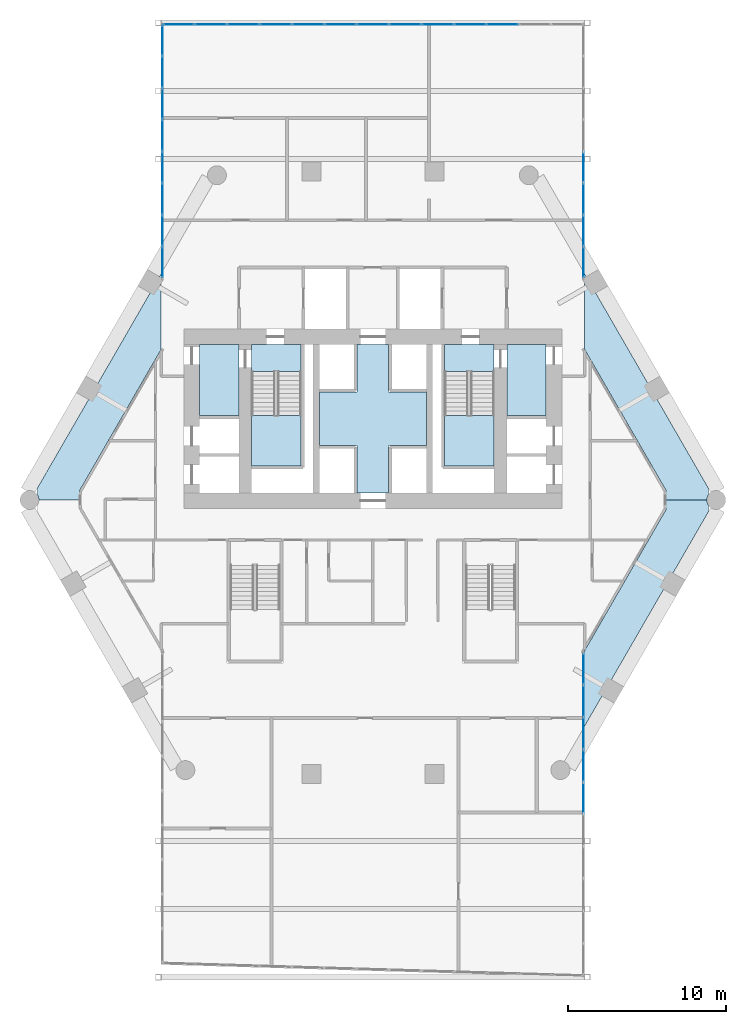
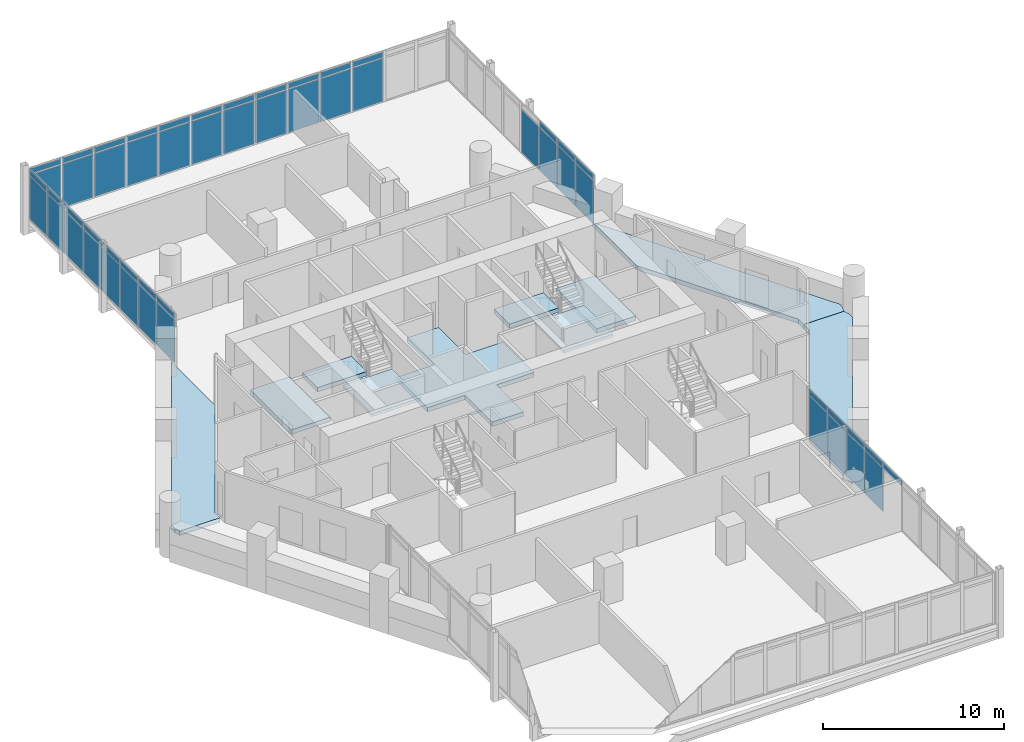
# One storey, part 21 of 28: 54 plates, 10 slabs, 6 elements without a shape of their own.
"""IFC4 building model written with IfcOpenShell, lengths in metres."""

from ifc_helpers import new_model, si_unit, direction, frame, origin, origin_2d, place, context, subcontext, project, spatial, polyline, rectangle, outline, extrude, material, layer, layer_set, type_object, element, aggregate, save


model = new_model("IFC4")

# Units and contexts
model_context = context("Model", 3, precision=1e-05, world=origin(), true_north=direction((0.0, 1.0)))
body_context = subcontext(model_context, "Body", "Model", "MODEL_VIEW")
ifc_project = project(units=[si_unit("LENGTHUNIT", "METRE"), si_unit("AREAUNIT", "SQUARE_METRE"), si_unit("VOLUMEUNIT", "CUBIC_METRE"), si_unit("PLANEANGLEUNIT", "RADIAN"), si_unit("MASSUNIT", "GRAM", prefix="KILO")], contexts=[model_context])

# Site, building, storey
site_placement = place(None, origin())
site = spatial("IfcSite", under=ifc_project, at=site_placement, CompositionType="ELEMENT")
building_placement = place(site_placement, origin())
building = spatial("IfcBuilding", under=site, at=building_placement, Name="Ostrander Bayou Hotel Tower", CompositionType="ELEMENT")
storey_placement = place(building_placement, frame((0.0, 0.0, 142.25)))
storey = spatial("IfcBuildingStorey", under=building, at=storey_placement, Name="L35", CompositionType="ELEMENT", Elevation=142.25)

# Curtain wall, plates
ifc_material_1 = material(Name="Aluminium and clear glass", Category="aluminium")
curtain_wall_type = type_object("IfcCurtainWallType", Name="CW-BAR glazed wall", PredefinedType="NOTDEFINED", material=ifc_material_1)
curtain_wall_1_placement = place(storey_placement, origin())
curtain_wall_1 = element("IfcCurtainWall", 1, at=curtain_wall_1_placement, inside=storey, type_object=curtain_wall_type, Name="CW-BAR L35:SB3S:W", PredefinedType="NOTDEFINED")
ifc_material_2 = material(Name="Clear laminated glass", Category="glass")
ifc_layer_1 = layer(ifc_material_2, 0.028076171875)
ifc_layer_set_1 = layer_set([ifc_layer_1], Name="CW-BR glazing panel 28 mm")
plate_type = type_object("IfcPlateType", Name="CW-BR glazing panel 28 mm", PredefinedType="CURTAIN_PANEL", material=ifc_layer_set_1)
plate_1_placement = place(storey_placement, frame((13.3671875, -11.88720703125, 0.06005859375), z_axis=(0.0, 0.0, 1.0), x_axis=(0.0, -1.0, 0.0)))
plate_1 = element("IfcPlate", 2, at=plate_1_placement, type_object=plate_type, Name="CW-BAR panel 1.1", PredefinedType="CURTAIN_PANEL", context=body_context, shape_type="SweptSolid", body=[
    extrude(rectangle(XDim=1.9599609375, YDim=0.028076171875, at=origin_2d()), origin(), (0.0, 0.0, 1.0), 2.909912109375),
])
plate_2_placement = place(storey_placement, frame((13.3671875, -11.88720703125, 3.02978515625), z_axis=(0.0, 0.0, 1.0), x_axis=(0.0, -1.0, 0.0)))
plate_2 = element("IfcPlate", 3, at=plate_2_placement, type_object=plate_type, Name="CW-BAR panel 1.2", PredefinedType="CURTAIN_PANEL", context=body_context, shape_type="SweptSolid", body=[
    extrude(rectangle(XDim=1.9599609375, YDim=0.028076171875, at=origin_2d()), origin(), (0.0, 0.0, 1.0), 0.360107421875),
])
plate_3_placement = place(storey_placement, frame((13.3671875, -13.92236328125, 0.06005859375), z_axis=(0.0, 0.0, 1.0), x_axis=(0.0, -1.0, 0.0)))
plate_3 = element("IfcPlate", 4, at=plate_3_placement, type_object=plate_type, Name="CW-BAR panel 2.1", PredefinedType="CURTAIN_PANEL", context=body_context, shape_type="SweptSolid", body=[
    extrude(rectangle(XDim=1.989990234375, YDim=0.028076171875, at=origin_2d()), origin(), (0.0, 0.0, 1.0), 2.909912109375),
])
plate_4_placement = place(storey_placement, frame((13.3671875, -13.92236328125, 3.02978515625), z_axis=(0.0, 0.0, 1.0), x_axis=(0.0, -1.0, 0.0)))
plate_4 = element("IfcPlate", 5, at=plate_4_placement, type_object=plate_type, Name="CW-BAR panel 2.2", PredefinedType="CURTAIN_PANEL", context=body_context, shape_type="SweptSolid", body=[
    extrude(rectangle(XDim=1.989990234375, YDim=0.028076171875, at=origin_2d()), origin(), (0.0, 0.0, 1.0), 0.360107421875),
])
plate_5_placement = place(storey_placement, frame((13.3671875, -15.972412109375, 0.06005859375), z_axis=(0.0, 0.0, 1.0), x_axis=(0.0, -1.0, 0.0)))
plate_5 = element("IfcPlate", 6, at=plate_5_placement, type_object=plate_type, Name="CW-BAR panel 3.1", PredefinedType="CURTAIN_PANEL", context=body_context, shape_type="SweptSolid", body=[
    extrude(rectangle(XDim=1.989990234375, YDim=0.028076171875, at=origin_2d()), origin(), (0.0, 0.0, 1.0), 2.909912109375),
])
plate_6_placement = place(storey_placement, frame((13.3671875, -15.972412109375, 3.02978515625), z_axis=(0.0, 0.0, 1.0), x_axis=(0.0, -1.0, 0.0)))
plate_6 = element("IfcPlate", 7, at=plate_6_placement, type_object=plate_type, Name="CW-BAR panel 3.2", PredefinedType="CURTAIN_PANEL", context=body_context, shape_type="SweptSolid", body=[
    extrude(rectangle(XDim=1.989990234375, YDim=0.028076171875, at=origin_2d()), origin(), (0.0, 0.0, 1.0), 0.360107421875),
])
plate_7_placement = place(storey_placement, frame((13.3671875, -18.0224609375, 0.06005859375), z_axis=(0.0, 0.0, 1.0), x_axis=(0.0, -1.0, 0.0)))
plate_7 = element("IfcPlate", 8, at=plate_7_placement, type_object=plate_type, Name="CW-BAR panel 4.1", PredefinedType="CURTAIN_PANEL", context=body_context, shape_type="SweptSolid", body=[
    extrude(rectangle(XDim=1.989990234375, YDim=0.028076171875, at=origin_2d()), origin(), (0.0, 0.0, 1.0), 2.909912109375),
])
plate_8_placement = place(storey_placement, frame((13.3671875, -18.0224609375, 3.02978515625), z_axis=(0.0, 0.0, 1.0), x_axis=(0.0, -1.0, 0.0)))
plate_8 = element("IfcPlate", 9, at=plate_8_placement, type_object=plate_type, Name="CW-BAR panel 4.2", PredefinedType="CURTAIN_PANEL", context=body_context, shape_type="SweptSolid", body=[
    extrude(rectangle(XDim=1.989990234375, YDim=0.028076171875, at=origin_2d()), origin(), (0.0, 0.0, 1.0), 0.360107421875),
])
plate_9_placement = place(storey_placement, frame((13.3671875, -20.072509765625, 3.02978515625), z_axis=(0.0, 0.0, 1.0), x_axis=(0.0, -1.0, 0.0)))
plate_9 = element("IfcPlate", 10, at=plate_9_placement, type_object=plate_type, Name="CW-BAR panel 5.2", PredefinedType="CURTAIN_PANEL", context=body_context, shape_type="SweptSolid", body=[
    extrude(rectangle(XDim=1.989990234375, YDim=0.028076171875, at=origin_2d()), origin(), (0.0, 0.0, 1.0), 0.360107421875),
])
aggregate(curtain_wall_1, [plate_1, plate_2, plate_3, plate_4, plate_5, plate_6, plate_7, plate_8, plate_9])

curtain_wall_2_placement = place(storey_placement, origin())
curtain_wall_2 = element("IfcCurtainWall", 11, at=curtain_wall_2_placement, inside=storey, type_object=curtain_wall_type, Name="CW-BAR L35:SB3N:E", PredefinedType="NOTDEFINED")
plate_10_placement = place(storey_placement, frame((-13.3671875, 13.943603515625, 0.06005859375), z_axis=(0.0, 0.0, 1.0), x_axis=(0.0, 1.0, 0.0)))
plate_10 = element("IfcPlate", 12, at=plate_10_placement, type_object=plate_type, Name="CW-BAR panel 1.1", PredefinedType="CURTAIN_PANEL", context=body_context, shape_type="SweptSolid", body=[
    extrude(rectangle(XDim=1.924560546875, YDim=0.028076171875, at=origin_2d()), origin(), (0.0, 0.0, 1.0), 2.909912109375),
])
plate_11_placement = place(storey_placement, frame((-13.3671875, 13.943603515625, 3.02978515625), z_axis=(0.0, 0.0, 1.0), x_axis=(0.0, 1.0, 0.0)))
plate_11 = element("IfcPlate", 13, at=plate_11_placement, type_object=plate_type, Name="CW-BAR panel 1.2", PredefinedType="CURTAIN_PANEL", context=body_context, shape_type="SweptSolid", body=[
    extrude(rectangle(XDim=1.924560546875, YDim=0.028076171875, at=origin_2d()), origin(), (0.0, 0.0, 1.0), 0.360107421875),
])
plate_12_placement = place(storey_placement, frame((-13.3671875, 15.943115234375, 0.06005859375), z_axis=(0.0, 0.0, 1.0), x_axis=(0.0, 1.0, 0.0)))
plate_12 = element("IfcPlate", 14, at=plate_12_placement, type_object=plate_type, Name="CW-BAR panel 2.1", PredefinedType="CURTAIN_PANEL", context=body_context, shape_type="SweptSolid", body=[
    extrude(rectangle(XDim=1.954345703125, YDim=0.028076171875, at=origin_2d()), origin(), (0.0, 0.0, 1.0), 2.909912109375),
])
plate_13_placement = place(storey_placement, frame((-13.3671875, 15.943115234375, 3.02978515625), z_axis=(0.0, 0.0, 1.0), x_axis=(0.0, 1.0, 0.0)))
plate_13 = element("IfcPlate", 15, at=plate_13_placement, type_object=plate_type, Name="CW-BAR panel 2.2", PredefinedType="CURTAIN_PANEL", context=body_context, shape_type="SweptSolid", body=[
    extrude(rectangle(XDim=1.954345703125, YDim=0.028076171875, at=origin_2d()), origin(), (0.0, 0.0, 1.0), 0.360107421875),
])
plate_14_placement = place(storey_placement, frame((-13.3671875, 17.95751953125, 0.06005859375), z_axis=(0.0, 0.0, 1.0), x_axis=(0.0, 1.0, 0.0)))
plate_14 = element("IfcPlate", 16, at=plate_14_placement, type_object=plate_type, Name="CW-BAR panel 3.1", PredefinedType="CURTAIN_PANEL", context=body_context, shape_type="SweptSolid", body=[
    extrude(rectangle(XDim=1.954345703125, YDim=0.028076171875, at=origin_2d()), origin(), (0.0, 0.0, 1.0), 2.909912109375),
])
plate_15_placement = place(storey_placement, frame((-13.3671875, 17.95751953125, 3.02978515625), z_axis=(0.0, 0.0, 1.0), x_axis=(0.0, 1.0, 0.0)))
plate_15 = element("IfcPlate", 17, at=plate_15_placement, type_object=plate_type, Name="CW-BAR panel 3.2", PredefinedType="CURTAIN_PANEL", context=body_context, shape_type="SweptSolid", body=[
    extrude(rectangle(XDim=1.954345703125, YDim=0.028076171875, at=origin_2d()), origin(), (0.0, 0.0, 1.0), 0.360107421875),
])
plate_16_placement = place(storey_placement, frame((-13.3671875, 19.97216796875, 0.06005859375), z_axis=(0.0, 0.0, 1.0), x_axis=(0.0, 1.0, 0.0)))
plate_16 = element("IfcPlate", 18, at=plate_16_placement, type_object=plate_type, Name="CW-BAR panel 4.1", PredefinedType="CURTAIN_PANEL", context=body_context, shape_type="SweptSolid", body=[
    extrude(rectangle(XDim=1.954345703125, YDim=0.028076171875, at=origin_2d()), origin(), (0.0, 0.0, 1.0), 2.909912109375),
])
plate_17_placement = place(storey_placement, frame((-13.3671875, 19.97216796875, 3.02978515625), z_axis=(0.0, 0.0, 1.0), x_axis=(0.0, 1.0, 0.0)))
plate_17 = element("IfcPlate", 19, at=plate_17_placement, type_object=plate_type, Name="CW-BAR panel 4.2", PredefinedType="CURTAIN_PANEL", context=body_context, shape_type="SweptSolid", body=[
    extrude(rectangle(XDim=1.954345703125, YDim=0.028076171875, at=origin_2d()), origin(), (0.0, 0.0, 1.0), 0.360107421875),
])
plate_18_placement = place(storey_placement, frame((-13.3671875, 21.986572265625, 0.06005859375), z_axis=(0.0, 0.0, 1.0), x_axis=(0.0, 1.0, 0.0)))
plate_18 = element("IfcPlate", 20, at=plate_18_placement, type_object=plate_type, Name="CW-BAR panel 5.1", PredefinedType="CURTAIN_PANEL", context=body_context, shape_type="SweptSolid", body=[
    extrude(rectangle(XDim=1.954345703125, YDim=0.028076171875, at=origin_2d()), origin(), (0.0, 0.0, 1.0), 2.909912109375),
])
plate_19_placement = place(storey_placement, frame((-13.3671875, 21.986572265625, 3.02978515625), z_axis=(0.0, 0.0, 1.0), x_axis=(0.0, 1.0, 0.0)))
plate_19 = element("IfcPlate", 21, at=plate_19_placement, type_object=plate_type, Name="CW-BAR panel 5.2", PredefinedType="CURTAIN_PANEL", context=body_context, shape_type="SweptSolid", body=[
    extrude(rectangle(XDim=1.954345703125, YDim=0.028076171875, at=origin_2d()), origin(), (0.0, 0.0, 1.0), 0.360107421875),
])
plate_20_placement = place(storey_placement, frame((-13.3671875, 24.0009765625, 0.06005859375), z_axis=(0.0, 0.0, 1.0), x_axis=(0.0, 1.0, 0.0)))
plate_20 = element("IfcPlate", 22, at=plate_20_placement, type_object=plate_type, Name="CW-BAR panel 6.1", PredefinedType="CURTAIN_PANEL", context=body_context, shape_type="SweptSolid", body=[
    extrude(rectangle(XDim=1.954345703125, YDim=0.028076171875, at=origin_2d()), origin(), (0.0, 0.0, 1.0), 2.909912109375),
])
plate_21_placement = place(storey_placement, frame((-13.3671875, 24.0009765625, 3.02978515625), z_axis=(0.0, 0.0, 1.0), x_axis=(0.0, 1.0, 0.0)))
plate_21 = element("IfcPlate", 23, at=plate_21_placement, type_object=plate_type, Name="CW-BAR panel 6.2", PredefinedType="CURTAIN_PANEL", context=body_context, shape_type="SweptSolid", body=[
    extrude(rectangle(XDim=1.954345703125, YDim=0.028076171875, at=origin_2d()), origin(), (0.0, 0.0, 1.0), 0.360107421875),
])
plate_22_placement = place(storey_placement, frame((-13.3671875, 26.015380859375, 0.06005859375), z_axis=(0.0, 0.0, 1.0), x_axis=(0.0, 1.0, 0.0)))
plate_22 = element("IfcPlate", 24, at=plate_22_placement, type_object=plate_type, Name="CW-BAR panel 7.1", PredefinedType="CURTAIN_PANEL", context=body_context, shape_type="SweptSolid", body=[
    extrude(rectangle(XDim=1.954345703125, YDim=0.028076171875, at=origin_2d()), origin(), (0.0, 0.0, 1.0), 2.909912109375),
])
plate_23_placement = place(storey_placement, frame((-13.3671875, 26.015380859375, 3.02978515625), z_axis=(0.0, 0.0, 1.0), x_axis=(0.0, 1.0, 0.0)))
plate_23 = element("IfcPlate", 25, at=plate_23_placement, type_object=plate_type, Name="CW-BAR panel 7.2", PredefinedType="CURTAIN_PANEL", context=body_context, shape_type="SweptSolid", body=[
    extrude(rectangle(XDim=1.954345703125, YDim=0.028076171875, at=origin_2d()), origin(), (0.0, 0.0, 1.0), 0.360107421875),
])
plate_24_placement = place(storey_placement, frame((-13.3671875, 28.014892578125, 0.06005859375), z_axis=(0.0, 0.0, 1.0), x_axis=(0.0, 1.0, 0.0)))
plate_24 = element("IfcPlate", 26, at=plate_24_placement, type_object=plate_type, Name="CW-BAR panel 8.1", PredefinedType="CURTAIN_PANEL", context=body_context, shape_type="SweptSolid", body=[
    extrude(rectangle(XDim=1.924560546875, YDim=0.028076171875, at=origin_2d()), origin(), (0.0, 0.0, 1.0), 2.909912109375),
])
plate_25_placement = place(storey_placement, frame((-13.3671875, 28.014892578125, 3.02978515625), z_axis=(0.0, 0.0, 1.0), x_axis=(0.0, 1.0, 0.0)))
plate_25 = element("IfcPlate", 27, at=plate_25_placement, type_object=plate_type, Name="CW-BAR panel 8.2", PredefinedType="CURTAIN_PANEL", context=body_context, shape_type="SweptSolid", body=[
    extrude(rectangle(XDim=1.924560546875, YDim=0.028076171875, at=origin_2d()), origin(), (0.0, 0.0, 1.0), 0.360107421875),
])
aggregate(curtain_wall_2, [plate_10, plate_11, plate_12, plate_13, plate_14, plate_15, plate_16, plate_17, plate_18, plate_19, plate_20, plate_21, plate_22, plate_23, plate_24, plate_25])

curtain_wall_3_placement = place(storey_placement, origin())
curtain_wall_3 = element("IfcCurtainWall", 28, at=curtain_wall_3_placement, inside=storey, type_object=curtain_wall_type, Name="CW-BAR L35:SB3N:T", PredefinedType="NOTDEFINED")
plate_26_placement = place(storey_placement, frame((-12.323974609375, 29.037109375, 0.06005859375), z_axis=(0.0, 0.0, 1.0), x_axis=(1.0, 0.0, 0.0)))
plate_26 = element("IfcPlate", 29, at=plate_26_placement, type_object=plate_type, Name="CW-BAR panel 1.1", PredefinedType="CURTAIN_PANEL", context=body_context, shape_type="SweptSolid", body=[
    extrude(rectangle(XDim=1.966552734375, YDim=0.028076171875, at=origin_2d()), origin(), (0.0, 0.0, 1.0), 2.909912109375),
])
plate_27_placement = place(storey_placement, frame((-12.323974609375, 29.037109375, 3.02978515625), z_axis=(0.0, 0.0, 1.0), x_axis=(1.0, 0.0, 0.0)))
plate_27 = element("IfcPlate", 30, at=plate_27_placement, type_object=plate_type, Name="CW-BAR panel 1.2", PredefinedType="CURTAIN_PANEL", context=body_context, shape_type="SweptSolid", body=[
    extrude(rectangle(XDim=1.966552734375, YDim=0.028076171875, at=origin_2d()), origin(), (0.0, 0.0, 1.0), 0.360107421875),
])
plate_28_placement = place(storey_placement, frame((-10.282470703125, 29.037109375, 0.06005859375), z_axis=(0.0, 0.0, 1.0), x_axis=(1.0, 0.0, 0.0)))
plate_28 = element("IfcPlate", 31, at=plate_28_placement, type_object=plate_type, Name="CW-BAR panel 2.1", PredefinedType="CURTAIN_PANEL", context=body_context, shape_type="SweptSolid", body=[
    extrude(rectangle(XDim=1.99658203125, YDim=0.028076171875, at=origin_2d()), origin(), (0.0, 0.0, 1.0), 2.909912109375),
])
plate_29_placement = place(storey_placement, frame((-10.282470703125, 29.037109375, 3.02978515625), z_axis=(0.0, 0.0, 1.0), x_axis=(1.0, 0.0, 0.0)))
plate_29 = element("IfcPlate", 32, at=plate_29_placement, type_object=plate_type, Name="CW-BAR panel 2.2", PredefinedType="CURTAIN_PANEL", context=body_context, shape_type="SweptSolid", body=[
    extrude(rectangle(XDim=1.99658203125, YDim=0.028076171875, at=origin_2d()), origin(), (0.0, 0.0, 1.0), 0.360107421875),
])
plate_30_placement = place(storey_placement, frame((-8.22607421875, 29.037109375, 0.06005859375), z_axis=(0.0, 0.0, 1.0), x_axis=(1.0, 0.0, 0.0)))
plate_30 = element("IfcPlate", 33, at=plate_30_placement, type_object=plate_type, Name="CW-BAR panel 3.1", PredefinedType="CURTAIN_PANEL", context=body_context, shape_type="SweptSolid", body=[
    extrude(rectangle(XDim=1.99658203125, YDim=0.028076171875, at=origin_2d()), origin(), (0.0, 0.0, 1.0), 2.909912109375),
])
plate_31_placement = place(storey_placement, frame((-8.22607421875, 29.037109375, 3.02978515625), z_axis=(0.0, 0.0, 1.0), x_axis=(1.0, 0.0, 0.0)))
plate_31 = element("IfcPlate", 34, at=plate_31_placement, type_object=plate_type, Name="CW-BAR panel 3.2", PredefinedType="CURTAIN_PANEL", context=body_context, shape_type="SweptSolid", body=[
    extrude(rectangle(XDim=1.99658203125, YDim=0.028076171875, at=origin_2d()), origin(), (0.0, 0.0, 1.0), 0.360107421875),
])
plate_32_placement = place(storey_placement, frame((-6.16943359375, 29.037109375, 0.06005859375), z_axis=(0.0, 0.0, 1.0), x_axis=(1.0, 0.0, 0.0)))
plate_32 = element("IfcPlate", 35, at=plate_32_placement, type_object=plate_type, Name="CW-BAR panel 4.1", PredefinedType="CURTAIN_PANEL", context=body_context, shape_type="SweptSolid", body=[
    extrude(rectangle(XDim=1.99658203125, YDim=0.028076171875, at=origin_2d()), origin(), (0.0, 0.0, 1.0), 2.909912109375),
])
plate_33_placement = place(storey_placement, frame((-6.16943359375, 29.037109375, 3.02978515625), z_axis=(0.0, 0.0, 1.0), x_axis=(1.0, 0.0, 0.0)))
plate_33 = element("IfcPlate", 36, at=plate_33_placement, type_object=plate_type, Name="CW-BAR panel 4.2", PredefinedType="CURTAIN_PANEL", context=body_context, shape_type="SweptSolid", body=[
    extrude(rectangle(XDim=1.99658203125, YDim=0.028076171875, at=origin_2d()), origin(), (0.0, 0.0, 1.0), 0.360107421875),
])
plate_34_placement = place(storey_placement, frame((-4.113037109375, 29.037109375, 0.06005859375), z_axis=(0.0, 0.0, 1.0), x_axis=(1.0, 0.0, 0.0)))
plate_34 = element("IfcPlate", 37, at=plate_34_placement, type_object=plate_type, Name="CW-BAR panel 5.1", PredefinedType="CURTAIN_PANEL", context=body_context, shape_type="SweptSolid", body=[
    extrude(rectangle(XDim=1.99658203125, YDim=0.028076171875, at=origin_2d()), origin(), (0.0, 0.0, 1.0), 2.909912109375),
])
plate_35_placement = place(storey_placement, frame((-4.113037109375, 29.037109375, 3.02978515625), z_axis=(0.0, 0.0, 1.0), x_axis=(1.0, 0.0, 0.0)))
plate_35 = element("IfcPlate", 38, at=plate_35_placement, type_object=plate_type, Name="CW-BAR panel 5.2", PredefinedType="CURTAIN_PANEL", context=body_context, shape_type="SweptSolid", body=[
    extrude(rectangle(XDim=1.99658203125, YDim=0.028076171875, at=origin_2d()), origin(), (0.0, 0.0, 1.0), 0.360107421875),
])
plate_36_placement = place(storey_placement, frame((-2.056396484375, 29.037109375, 0.06005859375), z_axis=(0.0, 0.0, 1.0), x_axis=(1.0, 0.0, 0.0)))
plate_36 = element("IfcPlate", 39, at=plate_36_placement, type_object=plate_type, Name="CW-BAR panel 6.1", PredefinedType="CURTAIN_PANEL", context=body_context, shape_type="SweptSolid", body=[
    extrude(rectangle(XDim=1.99658203125, YDim=0.028076171875, at=origin_2d()), origin(), (0.0, 0.0, 1.0), 2.909912109375),
])
plate_37_placement = place(storey_placement, frame((-2.056396484375, 29.037109375, 3.02978515625), z_axis=(0.0, 0.0, 1.0), x_axis=(1.0, 0.0, 0.0)))
plate_37 = element("IfcPlate", 40, at=plate_37_placement, type_object=plate_type, Name="CW-BAR panel 6.2", PredefinedType="CURTAIN_PANEL", context=body_context, shape_type="SweptSolid", body=[
    extrude(rectangle(XDim=1.99658203125, YDim=0.028076171875, at=origin_2d()), origin(), (0.0, 0.0, 1.0), 0.360107421875),
])
plate_38_placement = place(storey_placement, frame((0.0, 29.037109375, 0.06005859375), z_axis=(0.0, 0.0, 1.0), x_axis=(1.0, 0.0, 0.0)))
plate_38 = element("IfcPlate", 41, at=plate_38_placement, type_object=plate_type, Name="CW-BAR panel 7.1", PredefinedType="CURTAIN_PANEL", context=body_context, shape_type="SweptSolid", body=[
    extrude(rectangle(XDim=1.99658203125, YDim=0.028076171875, at=origin_2d()), origin(), (0.0, 0.0, 1.0), 2.909912109375),
])
plate_39_placement = place(storey_placement, frame((0.0, 29.037109375, 3.02978515625), z_axis=(0.0, 0.0, 1.0), x_axis=(1.0, 0.0, 0.0)))
plate_39 = element("IfcPlate", 42, at=plate_39_placement, type_object=plate_type, Name="CW-BAR panel 7.2", PredefinedType="CURTAIN_PANEL", context=body_context, shape_type="SweptSolid", body=[
    extrude(rectangle(XDim=1.99658203125, YDim=0.028076171875, at=origin_2d()), origin(), (0.0, 0.0, 1.0), 0.360107421875),
])
plate_40_placement = place(storey_placement, frame((2.056396484375, 29.037109375, 0.06005859375), z_axis=(0.0, 0.0, 1.0), x_axis=(1.0, 0.0, 0.0)))
plate_40 = element("IfcPlate", 43, at=plate_40_placement, type_object=plate_type, Name="CW-BAR panel 8.1", PredefinedType="CURTAIN_PANEL", context=body_context, shape_type="SweptSolid", body=[
    extrude(rectangle(XDim=1.99658203125, YDim=0.028076171875, at=origin_2d()), origin(), (0.0, 0.0, 1.0), 2.909912109375),
])
plate_41_placement = place(storey_placement, frame((2.056396484375, 29.037109375, 3.02978515625), z_axis=(0.0, 0.0, 1.0), x_axis=(1.0, 0.0, 0.0)))
plate_41 = element("IfcPlate", 44, at=plate_41_placement, type_object=plate_type, Name="CW-BAR panel 8.2", PredefinedType="CURTAIN_PANEL", context=body_context, shape_type="SweptSolid", body=[
    extrude(rectangle(XDim=1.99658203125, YDim=0.028076171875, at=origin_2d()), origin(), (0.0, 0.0, 1.0), 0.360107421875),
])
plate_42_placement = place(storey_placement, frame((4.113037109375, 29.037109375, 0.06005859375), z_axis=(0.0, 0.0, 1.0), x_axis=(1.0, 0.0, 0.0)))
plate_42 = element("IfcPlate", 45, at=plate_42_placement, type_object=plate_type, Name="CW-BAR panel 9.1", PredefinedType="CURTAIN_PANEL", context=body_context, shape_type="SweptSolid", body=[
    extrude(rectangle(XDim=1.99658203125, YDim=0.028076171875, at=origin_2d()), origin(), (0.0, 0.0, 1.0), 2.909912109375),
])
plate_43_placement = place(storey_placement, frame((4.113037109375, 29.037109375, 3.02978515625), z_axis=(0.0, 0.0, 1.0), x_axis=(1.0, 0.0, 0.0)))
plate_43 = element("IfcPlate", 46, at=plate_43_placement, type_object=plate_type, Name="CW-BAR panel 9.2", PredefinedType="CURTAIN_PANEL", context=body_context, shape_type="SweptSolid", body=[
    extrude(rectangle(XDim=1.99658203125, YDim=0.028076171875, at=origin_2d()), origin(), (0.0, 0.0, 1.0), 0.360107421875),
])
plate_44_placement = place(storey_placement, frame((6.16943359375, 29.037109375, 0.06005859375), z_axis=(0.0, 0.0, 1.0), x_axis=(1.0, 0.0, 0.0)))
plate_44 = element("IfcPlate", 47, at=plate_44_placement, type_object=plate_type, Name="CW-BAR panel 10.1", PredefinedType="CURTAIN_PANEL", context=body_context, shape_type="SweptSolid", body=[
    extrude(rectangle(XDim=1.99658203125, YDim=0.028076171875, at=origin_2d()), origin(), (0.0, 0.0, 1.0), 2.909912109375),
])
plate_45_placement = place(storey_placement, frame((6.16943359375, 29.037109375, 3.02978515625), z_axis=(0.0, 0.0, 1.0), x_axis=(1.0, 0.0, 0.0)))
plate_45 = element("IfcPlate", 48, at=plate_45_placement, type_object=plate_type, Name="CW-BAR panel 10.2", PredefinedType="CURTAIN_PANEL", context=body_context, shape_type="SweptSolid", body=[
    extrude(rectangle(XDim=1.99658203125, YDim=0.028076171875, at=origin_2d()), origin(), (0.0, 0.0, 1.0), 0.360107421875),
])
plate_46_placement = place(storey_placement, frame((8.22607421875, 29.037109375, 0.06005859375), z_axis=(0.0, 0.0, 1.0), x_axis=(1.0, 0.0, 0.0)))
plate_46 = element("IfcPlate", 49, at=plate_46_placement, type_object=plate_type, Name="CW-BAR panel 11.1", PredefinedType="CURTAIN_PANEL", context=body_context, shape_type="SweptSolid", body=[
    extrude(rectangle(XDim=1.99658203125, YDim=0.028076171875, at=origin_2d()), origin(), (0.0, 0.0, 1.0), 2.909912109375),
])
plate_47_placement = place(storey_placement, frame((8.22607421875, 29.037109375, 3.02978515625), z_axis=(0.0, 0.0, 1.0), x_axis=(1.0, 0.0, 0.0)))
plate_47 = element("IfcPlate", 50, at=plate_47_placement, type_object=plate_type, Name="CW-BAR panel 11.2", PredefinedType="CURTAIN_PANEL", context=body_context, shape_type="SweptSolid", body=[
    extrude(rectangle(XDim=1.99658203125, YDim=0.028076171875, at=origin_2d()), origin(), (0.0, 0.0, 1.0), 0.360107421875),
])
aggregate(curtain_wall_3, [plate_26, plate_27, plate_28, plate_29, plate_30, plate_31, plate_32, plate_33, plate_34, plate_35, plate_36, plate_37, plate_38, plate_39, plate_40, plate_41, plate_42, plate_43, plate_44, plate_45, plate_46, plate_47])

curtain_wall_4_placement = place(storey_placement, origin())
curtain_wall_4 = element("IfcCurtainWall", 51, at=curtain_wall_4_placement, inside=storey, type_object=curtain_wall_type, Name="CW-BAR L35:SB3N:W", PredefinedType="NOTDEFINED")
plate_48_placement = place(storey_placement, frame((13.3671875, 13.943603515625, 0.06005859375), z_axis=(0.0, 0.0, 1.0), x_axis=(0.0, 1.0, 0.0)))
plate_48 = element("IfcPlate", 52, at=plate_48_placement, type_object=plate_type, Name="CW-BAR panel 1.1", PredefinedType="CURTAIN_PANEL", context=body_context, shape_type="SweptSolid", body=[
    extrude(rectangle(XDim=1.924560546875, YDim=0.028076171875, at=origin_2d()), origin(), (0.0, 0.0, 1.0), 2.909912109375),
])
plate_49_placement = place(storey_placement, frame((13.3671875, 13.943603515625, 3.02978515625), z_axis=(0.0, 0.0, 1.0), x_axis=(0.0, 1.0, 0.0)))
plate_49 = element("IfcPlate", 53, at=plate_49_placement, type_object=plate_type, Name="CW-BAR panel 1.2", PredefinedType="CURTAIN_PANEL", context=body_context, shape_type="SweptSolid", body=[
    extrude(rectangle(XDim=1.924560546875, YDim=0.028076171875, at=origin_2d()), origin(), (0.0, 0.0, 1.0), 0.360107421875),
])
plate_50_placement = place(storey_placement, frame((13.3671875, 15.943115234375, 0.06005859375), z_axis=(0.0, 0.0, 1.0), x_axis=(0.0, 1.0, 0.0)))
plate_50 = element("IfcPlate", 54, at=plate_50_placement, type_object=plate_type, Name="CW-BAR panel 2.1", PredefinedType="CURTAIN_PANEL", context=body_context, shape_type="SweptSolid", body=[
    extrude(rectangle(XDim=1.954345703125, YDim=0.028076171875, at=origin_2d()), origin(), (0.0, 0.0, 1.0), 2.909912109375),
])
plate_51_placement = place(storey_placement, frame((13.3671875, 15.943115234375, 3.02978515625), z_axis=(0.0, 0.0, 1.0), x_axis=(0.0, 1.0, 0.0)))
plate_51 = element("IfcPlate", 55, at=plate_51_placement, type_object=plate_type, Name="CW-BAR panel 2.2", PredefinedType="CURTAIN_PANEL", context=body_context, shape_type="SweptSolid", body=[
    extrude(rectangle(XDim=1.954345703125, YDim=0.028076171875, at=origin_2d()), origin(), (0.0, 0.0, 1.0), 0.360107421875),
])
plate_52_placement = place(storey_placement, frame((13.3671875, 17.95751953125, 0.06005859375), z_axis=(0.0, 0.0, 1.0), x_axis=(0.0, 1.0, 0.0)))
plate_52 = element("IfcPlate", 56, at=plate_52_placement, type_object=plate_type, Name="CW-BAR panel 3.1", PredefinedType="CURTAIN_PANEL", context=body_context, shape_type="SweptSolid", body=[
    extrude(rectangle(XDim=1.954345703125, YDim=0.028076171875, at=origin_2d()), origin(), (0.0, 0.0, 1.0), 2.909912109375),
])
plate_53_placement = place(storey_placement, frame((13.3671875, 17.95751953125, 3.02978515625), z_axis=(0.0, 0.0, 1.0), x_axis=(0.0, 1.0, 0.0)))
plate_53 = element("IfcPlate", 57, at=plate_53_placement, type_object=plate_type, Name="CW-BAR panel 3.2", PredefinedType="CURTAIN_PANEL", context=body_context, shape_type="SweptSolid", body=[
    extrude(rectangle(XDim=1.954345703125, YDim=0.028076171875, at=origin_2d()), origin(), (0.0, 0.0, 1.0), 0.360107421875),
])
plate_54_placement = place(storey_placement, frame((13.3671875, 19.97216796875, 0.06005859375), z_axis=(0.0, 0.0, 1.0), x_axis=(0.0, 1.0, 0.0)))
plate_54 = element("IfcPlate", 58, at=plate_54_placement, type_object=plate_type, Name="CW-BAR panel 4.1", PredefinedType="CURTAIN_PANEL", context=body_context, shape_type="SweptSolid", body=[
    extrude(rectangle(XDim=1.954345703125, YDim=0.028076171875, at=origin_2d()), origin(), (0.0, 0.0, 1.0), 2.909912109375),
])
aggregate(curtain_wall_4, [plate_48, plate_49, plate_50, plate_51, plate_52, plate_53, plate_54])

# Slabs
ifc_material_3 = material(Name="Concrete f'c 40 MPa", Category="concrete")
ifc_layer_2 = layer(ifc_material_3, 0.300048828125)
ifc_layer_set_2 = layer_set([ifc_layer_2], Name="SL1 floor slab 300 mm f'c 40 MPa")
slab_type_1 = type_object("IfcSlabType", Name="SL1 floor slab 300 mm f'c 40 MPa", PredefinedType="FLOOR", material=ifc_layer_set_2)
slab_1_placement = place(storey_placement, frame((0.0, 0.0, -0.300048828125)))
element("IfcSlab", 59, at=slab_1_placement, inside=storey, type_object=slab_type_1, Name="cslab:L35:001", PredefinedType="FLOOR", context=body_context, shape_type="SweptSolid", body=[
    extrude(outline(polyline([(-3.39990234375, 5.699951171875), (-1.0, 5.699951171875), (-1.0, 8.699951171875), (1.0, 8.699951171875), (1.0, 5.699951171875), (3.39990234375, 5.699951171875), (3.39990234375, 2.300048828125), (1.0, 2.300048828125), (1.0, -0.699951171875), (-1.0, -0.699951171875), (-1.0, 2.300048828125), (-3.39990234375, 2.300048828125), (-3.39990234375, 5.699951171875)])), origin(), (0.0, 0.0, 1.0), 0.300048828125),
])
slab_2_placement = place(storey_placement, frame((0.0, 0.0, -0.300048828125)))
element("IfcSlab", 60, at=slab_2_placement, inside=storey, type_object=slab_type_1, Name="cslab:L35:002", PredefinedType="FLOOR", context=body_context, shape_type="SweptSolid", body=[
    extrude(outline(polyline([(-8.5, 4.199951171875), (-8.5, 8.699951171875), (-11.0, 8.699951171875), (-11.0, 4.199951171875), (-8.5, 4.199951171875)])), origin(), (0.0, 0.0, 1.0), 0.300048828125),
])
slab_3_placement = place(storey_placement, frame((0.0, 0.0, -0.300048828125)))
element("IfcSlab", 61, at=slab_3_placement, inside=storey, type_object=slab_type_1, Name="cslab:L35:003", PredefinedType="FLOOR", context=body_context, shape_type="SweptSolid", body=[
    extrude(outline(polyline([(11.0, 4.199951171875), (11.0, 8.699951171875), (8.5, 8.699951171875), (8.5, 4.199951171875), (11.0, 4.199951171875)])), origin(), (0.0, 0.0, 1.0), 0.300048828125),
])
slab_4_placement = place(storey_placement, frame((0.0, 0.0, -0.300048828125)))
element("IfcSlab", 62, at=slab_4_placement, inside=storey, type_object=slab_type_1, Name="cslab:L35:004", PredefinedType="FLOOR", context=body_context, shape_type="SweptSolid", body=[
    extrude(outline(polyline([(-4.550048828125, 7.0), (-4.550048828125, 8.699951171875), (-7.699951171875, 8.699951171875), (-7.699951171875, 7.0), (-4.550048828125, 7.0)])), origin(), (0.0, 0.0, 1.0), 0.300048828125),
])
slab_5_placement = place(storey_placement, frame((0.0, 0.0, -0.300048828125)))
element("IfcSlab", 63, at=slab_5_placement, inside=storey, type_object=slab_type_1, Name="cslab:L35:005", PredefinedType="FLOOR", context=body_context, shape_type="SweptSolid", body=[
    extrude(outline(polyline([(7.699951171875, 7.0), (7.699951171875, 8.699951171875), (4.550048828125, 8.699951171875), (4.550048828125, 7.0), (7.699951171875, 7.0)])), origin(), (0.0, 0.0, 1.0), 0.300048828125),
])
ifc_material_4 = material(Name="Concrete f'c 40 MPa", Category="concrete")
ifc_layer_3 = layer(ifc_material_4, 0.300048828125)
ifc_layer_set_3 = layer_set([ifc_layer_3], Name="SL4 loggia slab 300 mm f'c 40 MPa")
slab_type_2 = type_object("IfcSlabType", Name="SL4 loggia slab 300 mm f'c 40 MPa", PredefinedType="FLOOR", material=ifc_layer_set_3)
slab_6_placement = place(storey_placement, frame((0.0, 0.0, -0.300048828125)))
element("IfcSlab", 64, at=slab_6_placement, inside=storey, type_object=slab_type_2, Name="SL4 LOGGIA L35 NW 1", PredefinedType="FLOOR", context=body_context, shape_type="SweptSolid", body=[
    extrude(outline(polyline([(-16.130126953125, 8.548583984375), (-13.56103515625, 12.998779296875), (-13.442138671875, 13.20458984375), (-13.442138671875, 8.404541015625), (-18.61572265625, -0.556396484375), (-18.61572265625, -1.156494140625), (-21.201416015625, -1.156494140625), (-21.212890625, -1.039306640625), (-21.2470703125, -0.927001953125), (-21.300537109375, -0.826904296875), (-21.300537109375, -0.406494140625), (-19.725341796875, 2.32177734375), (-18.03759765625, 5.244873046875), (-17.4677734375, 6.232177734375), (-16.130126953125, 8.548583984375)])), origin(), (0.0, 0.0, 1.0), 0.300048828125),
])
slab_7_placement = place(storey_placement, frame((0.0, 0.0, -0.300048828125)))
element("IfcSlab", 65, at=slab_7_placement, inside=storey, type_object=slab_type_2, Name="SL4 LOGGIA L35 SE 1", PredefinedType="FLOOR", context=body_context, shape_type="SweptSolid", body=[
    extrude(outline(polyline([(15.132568359375, -12.589599609375), (14.5625, -13.576904296875), (13.442138671875, -15.517333984375), (13.442138671875, -10.71728515625), (18.61572265625, -1.756591796875), (18.61572265625, -1.156494140625), (21.201416015625, -1.156494140625), (21.212890625, -1.2734375), (21.2470703125, -1.385986328125), (21.300537109375, -1.48583984375), (21.300537109375, -1.906494140625), (19.039306640625, -5.822998046875), (18.46923828125, -6.810302734375), (15.132568359375, -12.589599609375)])), origin(), (0.0, 0.0, 1.0), 0.300048828125),
])
slab_8_placement = place(storey_placement, frame((0.0, 0.0, -0.300048828125)))
element("IfcSlab", 66, at=slab_8_placement, inside=storey, type_object=slab_type_2, Name="SL4 LOGGIA L35 NE 1", PredefinedType="FLOOR", context=body_context, shape_type="SweptSolid", body=[
    extrude(outline(polyline([(13.442138671875, 13.20458984375), (13.56103515625, 12.998779296875), (14.485107421875, 11.39794921875), (17.4677734375, 6.232177734375), (18.03759765625, 5.244873046875), (21.300537109375, -0.406494140625), (21.300537109375, -0.826904296875), (21.2470703125, -0.927001953125), (21.212890625, -1.039306640625), (21.201416015625, -1.156494140625), (18.61572265625, -1.156494140625), (18.61572265625, -0.556396484375), (13.442138671875, 8.404541015625), (13.442138671875, 13.20458984375)])), origin(), (0.0, 0.0, 1.0), 0.300048828125),
])

# Stair, slab
ifc_material_5 = material(Name="Concrete f'c 45 MPa", Category="concrete")
stair_type = type_object("IfcStairType", Name="ST1 exit stair 1500 mm f'c 45 MPa", PredefinedType="HALF_TURN_STAIR", material=ifc_material_5)
stair_1_placement = place(storey_placement, origin())
stair_1 = element("IfcStair", 67, at=stair_1_placement, inside=storey, type_object=stair_type, Name="L35 exit stair A", PredefinedType="HALF_TURN_STAIR")
ifc_material_6 = material(Name="Concrete f'c 45 MPa", Category="concrete")
ifc_layer_4 = layer(ifc_material_6, 0.199951171875)
ifc_layer_set_4 = layer_set([ifc_layer_4], Name="SL8 stair landing 200 mm f'c 45 MPa")
slab_type_3 = type_object("IfcSlabType", Name="SL8 stair landing 200 mm f'c 45 MPa", PredefinedType="LANDING", material=ifc_layer_set_4)
slab_9_placement = place(storey_placement, frame((0.0, 0.0, 1.675048828125)))
slab_9 = element("IfcSlab", 68, at=slab_9_placement, type_object=slab_type_3, Name="STA landing 1", PredefinedType="LANDING", context=body_context, shape_type="SweptSolid", body=[
    extrude(outline(polyline([(-7.699951171875, 4.199951171875), (-7.699951171875, 1.0), (-4.550048828125, 1.0), (-4.550048828125, 4.199951171875), (-7.699951171875, 4.199951171875)])), origin(), (0.0, 0.0, 1.0), 0.199951171875),
])
aggregate(stair_1, [slab_9])

stair_2_placement = place(storey_placement, origin())
stair_2 = element("IfcStair", 69, at=stair_2_placement, inside=storey, type_object=stair_type, Name="L35 exit stair B", PredefinedType="HALF_TURN_STAIR")
slab_10_placement = place(storey_placement, frame((0.0, 0.0, 1.675048828125)))
slab_10 = element("IfcSlab", 70, at=slab_10_placement, type_object=slab_type_3, Name="STB landing 1", PredefinedType="LANDING", context=body_context, shape_type="SweptSolid", body=[
    extrude(outline(polyline([(4.550048828125, 4.199951171875), (4.550048828125, 1.0), (7.699951171875, 1.0), (7.699951171875, 4.199951171875), (4.550048828125, 4.199951171875)])), origin(), (0.0, 0.0, 1.0), 0.199951171875),
])
aggregate(stair_2, [slab_10])

save(model, "model.ifc")
